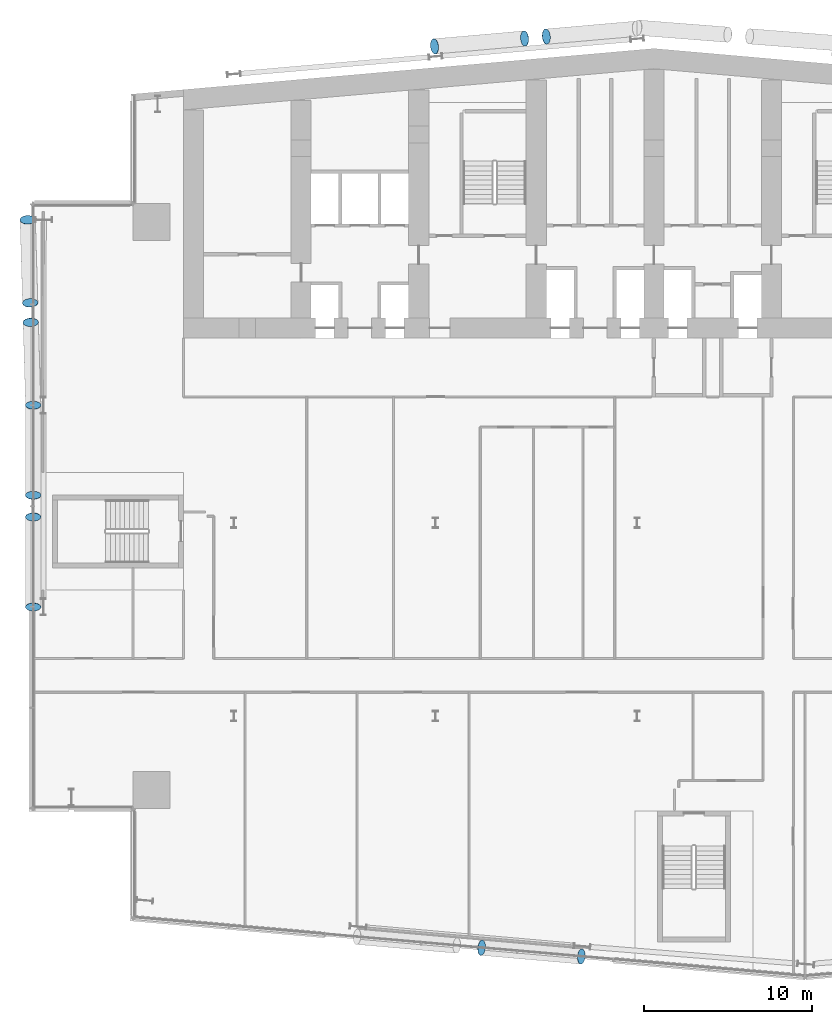
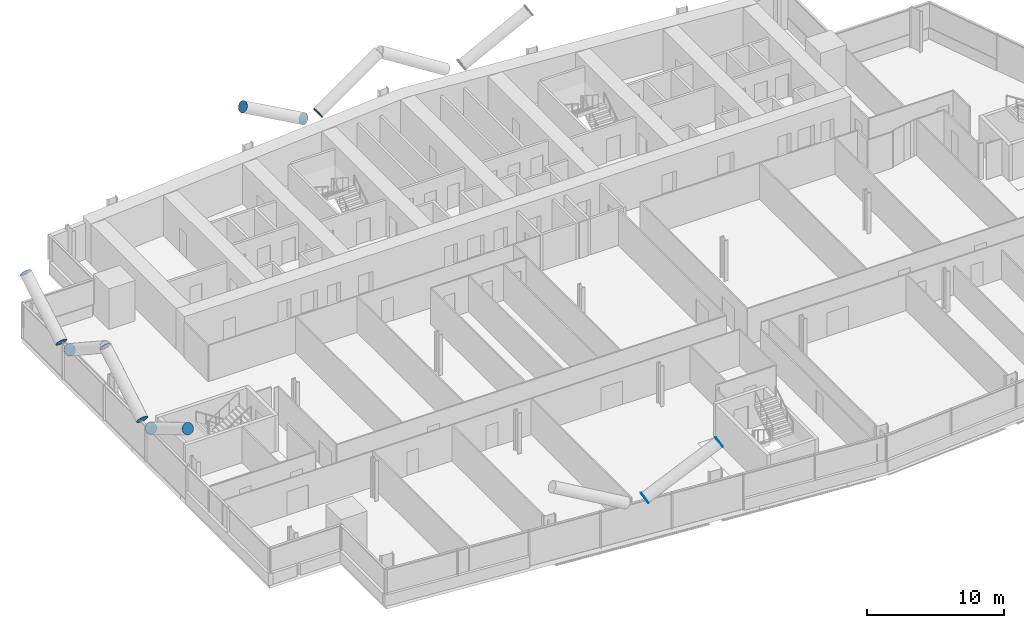
# One storey, part 21 of 27: 12 discrete accessories.
"""IFC4 building model written with IfcOpenShell, lengths in metres."""

import ifcopenshell
import ifcopenshell.guid

model = None  # the IFC model being written
_history = None  # IfcOwnerHistory: only IFC2X3 demands one
_inside = {}  # id of a spatial element -> (the spatial element, [elements in it])
_under = {}  # id of a project, library or spatial element -> (it, [spatial elements below it])
_declared = {}  # id of a project -> (the project, [libraries it declares])
_typed = {}  # id of a type object -> (the type object, [elements of that type])
_made_of = {}  # id of a material, layer set ... -> (it, [elements and type objects made of it])


def new_model(schema):
    """Start an empty IFC model of exactly this schema.

    Asked for "IFC4X3", IfcOpenShell would pick the latest addendum, in which some entities
    have other attributes; the version numbers below select the first issue.
    IFC2X3 requires an IfcOwnerHistory on every rooted entity: one is made here for all.
    """
    global model, _history
    if schema == "IFC4X3":
        model = ifcopenshell.file(schema_version=(4, 3, 0, 0))
    else:
        model = ifcopenshell.file(schema=schema)
    _inside.clear()
    _under.clear()
    _declared.clear()
    _typed.clear()
    _made_of.clear()
    _history = None
    if model.schema == "IFC2X3":
        org = make("IfcOrganization", Name="unknown")
        user = make(
            "IfcPersonAndOrganization",
            ThePerson=make("IfcPerson", FamilyName="unknown"),
            TheOrganization=org,
        )
        app = make(
            "IfcApplication",
            ApplicationDeveloper=org,
            Version="unknown",
            ApplicationFullName="unknown",
            ApplicationIdentifier="unknown",
        )
        _history = make(
            "IfcOwnerHistory",
            OwningUser=user,
            OwningApplication=app,
            ChangeAction="ADDED",
            CreationDate=0,
        )
    return model


def make(cls, **values):
    """One entity of the class cls with the attributes given. An attribute that is None is left unset."""
    return model.create_entity(
        cls, **{name: value for name, value in values.items() if value is not None}
    )


def rooted(cls, **values):
    """An entity with a GlobalId (a new one), such as an element, a storey or a relation."""
    return make(cls, GlobalId=ifcopenshell.guid.new(), OwnerHistory=_history, **values)


def si_unit(unit_type, name, prefix=None):
    """IfcSIUnit, for example si_unit("LENGTHUNIT", "METRE", prefix="MILLI")."""
    return make("IfcSIUnit", UnitType=unit_type, Prefix=prefix, Name=name)


def assignment(units):
    """IfcUnitAssignment: the units of a project."""
    return None if units is None else make("IfcUnitAssignment", Units=units)


def point(xyz):
    """IfcCartesianPoint."""
    return None if xyz is None else make("IfcCartesianPoint", Coordinates=xyz)


def direction(xyz):
    """IfcDirection."""
    return None if xyz is None else make("IfcDirection", DirectionRatios=xyz)


def frame(location, z_axis=None, x_axis=None):
    """IfcAxis2Placement3D, a coordinate frame: its origin and axes. An axis left out is left unset."""
    return make(
        "IfcAxis2Placement3D",
        Location=point(location),
        Axis=direction(z_axis),
        RefDirection=direction(x_axis),
    )


def frame_2d(location, x_axis=None):
    """IfcAxis2Placement2D, a coordinate frame in the plane: its origin and x axis."""
    return make(
        "IfcAxis2Placement2D", Location=point(location), RefDirection=direction(x_axis)
    )


def origin():
    """The frame at (0, 0, 0) with its axes left unset."""
    return frame((0.0, 0.0, 0.0))


def origin_2d():
    """The frame at (0, 0) in the plane with its x axis left unset."""
    return frame_2d((0.0, 0.0))


def place(relative_to, where):
    """IfcLocalPlacement: puts the frame where relative to a parent placement (None: the world)."""
    return make(
        "IfcLocalPlacement", PlacementRelTo=relative_to, RelativePlacement=where
    )


def context(
    kind, dimensions, precision=None, world=None, true_north=None, identifier=None
):
    """IfcGeometricRepresentationContext, for example the 3D "Model" context."""
    return make(
        "IfcGeometricRepresentationContext",
        ContextIdentifier=identifier,
        ContextType=kind,
        CoordinateSpaceDimension=dimensions,
        Precision=precision,
        WorldCoordinateSystem=world,
        TrueNorth=true_north,
    )


def subcontext(parent, identifier, kind, view, scale=None):
    """IfcGeometricRepresentationSubContext, for example "Body" below "Model"."""
    return make(
        "IfcGeometricRepresentationSubContext",
        ContextIdentifier=identifier,
        ContextType=kind,
        ParentContext=parent,
        TargetScale=scale,
        TargetView=view,
    )


def project(units=None, contexts=None):
    """IfcProject with its units and contexts."""
    return rooted(
        "IfcProject",
        Name="project",
        RepresentationContexts=contexts,
        UnitsInContext=assignment(units),
    )


def spatial(cls, under=None, at=None, **own):
    """A site, building, storey or space (cls), placed at a placement, below another one or the project."""
    s = rooted(cls, ObjectPlacement=at, **own)
    if under is not None:
        _under.setdefault(under.id(), (under, []))[1].append(s)
    return s


def profile(cls, at=None, kind="AREA", **sizes):
    """A parametric profile (cls). Its sizes go by their IFC names, for example OverallWidth=200.0."""
    return make(cls, ProfileType=kind, Position=at, **sizes)


def circle(**sizes):
    """IfcCircleProfileDef."""
    return profile("IfcCircleProfileDef", **sizes)


def extrude(swept, where, along, depth):
    """IfcExtrudedAreaSolid: the profile swept, set in the frame where, extruded along a direction by depth."""
    return make(
        "IfcExtrudedAreaSolid",
        SweptArea=swept,
        Position=where,
        ExtrudedDirection=direction(along),
        Depth=depth,
    )


def shape(context_of_items, identifier, shape_type, items):
    """IfcShapeRepresentation: the items that make up one representation, for example the "Body"."""
    return make(
        "IfcShapeRepresentation",
        ContextOfItems=context_of_items,
        RepresentationIdentifier=identifier,
        RepresentationType=shape_type,
        Items=items,
    )


def material(Name=None, Category=None):
    """IfcMaterial."""
    return make("IfcMaterial", Name=Name, Category=Category)


def material_profile(
    of_material, cross_section, Name=None, Category=None, Priority=None
):
    """IfcMaterialProfile: a cross section and its material."""
    return make(
        "IfcMaterialProfile",
        Name=Name,
        Material=of_material,
        Profile=cross_section,
        Priority=Priority,
        Category=Category,
    )


def profile_set(profiles, Name=None, composite=None):
    """IfcMaterialProfileSet."""
    return make(
        "IfcMaterialProfileSet",
        Name=Name,
        MaterialProfiles=profiles,
        CompositeProfile=composite,
    )


def made_of(thing, what):
    """Note that an element or type object is made of a material, layer set ...; save() writes the relation."""
    if what is not None:
        _made_of.setdefault(what.id(), (what, []))[1].append(thing)
    return thing


def type_object(cls, material=None, **own):
    """A type object (cls), such as IfcWallType, which elements share."""
    return made_of(rooted(cls, **own), material)


def element(
    cls,
    number,
    at=None,
    inside=None,
    cuts=None,
    type_object=None,
    material=None,
    context=None,
    identifier="Body",
    shape_type=None,
    held_by="IfcProductDefinitionShape",
    body=None,
    shapes=None,
    **own,
):
    """One element of the class cls, such as IfcWall. Its Tag is "e" and its number.

    at: its placement. inside: the storey or other place that contains it. cuts: it is an
    opening in that element (IfcRelVoidsElement). A single representation is given by context,
    identifier, shape_type and body (its items); several are given by shapes. held_by: the class
    of the entity that holds the representations. save() writes the other relations.
    """
    e = rooted(cls, Tag="e%d" % number, ObjectPlacement=at, **own)
    if body is not None:
        shapes = [shape(context, identifier, shape_type, body)]
    if shapes is not None:
        e.Representation = make(held_by, Representations=shapes)
    if inside is not None:
        _inside.setdefault(inside.id(), (inside, []))[1].append(e)
    if cuts is not None:
        rooted(
            "IfcRelVoidsElement", RelatingBuildingElement=cuts, RelatedOpeningElement=e
        )
    if type_object is not None:
        _typed.setdefault(type_object.id(), (type_object, []))[1].append(e)
    return made_of(e, material)


def aggregate(whole, parts):
    """IfcRelAggregates: a whole, such as a stair, and the parts it consists of."""
    return rooted("IfcRelAggregates", RelatingObject=whole, RelatedObjects=parts)


def save(model, path):
    """Write the relations noted so far, then the file.

    IfcRelAggregates (storeys below a building ...), IfcRelContainedInSpatialStructure (elements
    in a storey), IfcRelDefinesByType, IfcRelAssociatesMaterial and IfcRelDeclares: one each for
    every whole, place, type object, material and project.
    """
    for whole, parts in _under.values():
        aggregate(whole, parts)
    for where, things in _inside.values():
        rooted(
            "IfcRelContainedInSpatialStructure",
            RelatedElements=things,
            RelatingStructure=where,
        )
    for kind, things in _typed.values():
        rooted("IfcRelDefinesByType", RelatedObjects=things, RelatingType=kind)
    for what, things in _made_of.values():
        rooted("IfcRelAssociatesMaterial", RelatedObjects=things, RelatingMaterial=what)
    for by, libraries in _declared.values():
        rooted("IfcRelDeclares", RelatingContext=by, RelatedDefinitions=libraries)
    model.write(path)


model = new_model("IFC4")

# Units and contexts
model_context = context("Model", 3, precision=1e-05, world=origin(), true_north=direction((0.0, 1.0)))
body_context = subcontext(model_context, "Body", "Model", "MODEL_VIEW")
ifc_project = project(units=[si_unit("LENGTHUNIT", "METRE"), si_unit("AREAUNIT", "SQUARE_METRE"), si_unit("VOLUMEUNIT", "CUBIC_METRE"), si_unit("PLANEANGLEUNIT", "RADIAN"), si_unit("MASSUNIT", "GRAM", prefix="KILO")], contexts=[model_context])

# Site, building, storey
site_placement = place(None, origin())
site = spatial("IfcSite", under=ifc_project, at=site_placement, CompositionType="ELEMENT")
building_placement = place(site_placement, origin())
building = spatial("IfcBuilding", under=site, at=building_placement, Name="Wharfspan Tower", CompositionType="ELEMENT")
storey_placement = place(building_placement, frame((0.0, 0.0, 84.699951)))
storey = spatial("IfcBuildingStorey", under=building, at=storey_placement, Name="L18", CompositionType="ELEMENT", Elevation=84.699951)

# Discrete accessories
ifc_material = material(Name="Steel S460NH", Category="steel")
ifc_material_profile = material_profile(ifc_material, circle(Radius=0.457031, at=origin_2d()))
ifc_profile_set = profile_set([ifc_material_profile], Name="Steel S460NH")
discrete_accessory_type = type_object("IfcDiscreteAccessoryType", Name="End plate CHS 914x40", PredefinedType="BRACKET", material=ifc_profile_set)
for number, where, z_axis, x_axis, name in (
    (1, (26.737549, -2.283936, 3.295654), (0.870063, -0.096674, 0.483368), (0.110432, 0.993885, 0.0), "End plate CHS 914x40"),
    (2, (32.671387, -2.803223, 6.5), (0.871847, -0.072654, 0.484359), (0.083044, 0.996547, 3e-06), "End plate CHS 914x40"),
):
    element("IfcDiscreteAccessory", number, at=place(storey_placement, frame(where, z_axis=z_axis, x_axis=x_axis)), inside=storey, type_object=discrete_accessory_type, Name=name, PredefinedType="BRACKET", context=body_context, shape_type="SweptSolid", body=[
        extrude(circle(Radius=0.457031, at=origin_2d()), origin(), (0.0, 0.0, 1.0), 0.01001),
    ])
discrete_accessory_1_placement = place(storey_placement, frame((0.054932, 23.358887, 3.284668), z_axis=(0.0, -0.853282, 0.52145), x_axis=(1.0, 0.0, 0.0)))
element("IfcDiscreteAccessory", 3, at=discrete_accessory_1_placement, inside=storey, type_object=discrete_accessory_type, Name="End plate CHS 914x40", PredefinedType="BRACKET", context=body_context, shape_type="SweptSolid", body=[
    extrude(circle(Radius=0.457031, at=origin_2d()), origin(), (0.0, 0.0, 1.0), 0.010254),
])
discrete_accessory_2_placement = place(storey_placement, frame((0.054932, 18.0, 6.5), z_axis=(0.0, -0.857493, 0.514496), x_axis=(1.0, 0.0, 0.0)))
element("IfcDiscreteAccessory", 4, at=discrete_accessory_2_placement, inside=storey, type_object=discrete_accessory_type, Name="End plate CHS 914x40", PredefinedType="BRACKET", context=body_context, shape_type="SweptSolid", body=[
    extrude(circle(Radius=0.457031, at=origin_2d()), origin(), (0.0, 0.0, 1.0), 0.01001),
])
discrete_accessory_3_placement = place(storey_placement, frame((0.054932, 24.641113, 3.284668), z_axis=(0.0, 0.853282, 0.52145), x_axis=(-1.0, 0.0, 0.0)))
element("IfcDiscreteAccessory", 5, at=discrete_accessory_3_placement, inside=storey, type_object=discrete_accessory_type, Name="End plate CHS 914x40", PredefinedType="BRACKET", context=body_context, shape_type="SweptSolid", body=[
    extrude(circle(Radius=0.457031, at=origin_2d()), origin(), (0.0, 0.0, 1.0), 0.010254),
])
for number, where, z_axis, x_axis, name in (
    (6, (0.054932, 30.0, 6.5), (0.0, 0.857493, 0.514496), (-1.0, 0.0, 0.0), "End plate CHS 914x40"),
    (7, (-0.092041, 34.941895, 3.275391), (0.024686, -0.839314, 0.543086), (0.999566, 0.0294, 1e-06), "End plate CHS 914x40"),
    (8, (-0.126221, 36.092285, 3.275391), (-0.024686, 0.839314, 0.543086), (-0.999566, -0.0294, 1e-06), "End plate CHS 914x40"),
):
    element("IfcDiscreteAccessory", number, at=place(storey_placement, frame(where, z_axis=z_axis, x_axis=x_axis)), inside=storey, type_object=discrete_accessory_type, Name=name, PredefinedType="BRACKET", context=body_context, shape_type="SweptSolid", body=[
        extrude(circle(Radius=0.457031, at=origin_2d()), origin(), (0.0, 0.0, 1.0), 0.01001),
    ])
discrete_accessory_4_placement = place(storey_placement, frame((-0.273193, 41.03418, 6.5), z_axis=(-0.02387, 0.835467, 0.549021), x_axis=(-0.999596, -0.028558, -2e-06)))
element("IfcDiscreteAccessory", 9, at=discrete_accessory_4_placement, inside=storey, type_object=discrete_accessory_type, Name="End plate CHS 914x40", PredefinedType="BRACKET", context=body_context, shape_type="SweptSolid", body=[
    extrude(circle(Radius=0.457031, at=origin_2d()), origin(), (0.0, 0.0, 1.0), 0.010254),
])
for number, where, z_axis, x_axis, name in (
    (10, (30.589111, 51.944092, 3.285156), (0.855186, 0.073302, 0.513112), (-0.085402, 0.996345, 1e-06), "End plate CHS 914x40"),
    (11, (29.30542, 51.831787, 3.285156), (-0.855186, -0.073302, 0.513112), (0.085402, -0.996345, 1e-06), "End plate CHS 914x40"),
    (12, (23.947266, 51.363037, 6.5), (-0.853405, -0.097532, 0.512043), (0.113547, -0.993531, 1e-06), "End plate CHS 914x40"),
):
    element("IfcDiscreteAccessory", number, at=place(storey_placement, frame(where, z_axis=z_axis, x_axis=x_axis)), inside=storey, type_object=discrete_accessory_type, Name=name, PredefinedType="BRACKET", context=body_context, shape_type="SweptSolid", body=[
        extrude(circle(Radius=0.457031, at=origin_2d()), origin(), (0.0, 0.0, 1.0), 0.01001),
    ])

save(model, "model.ifc")
